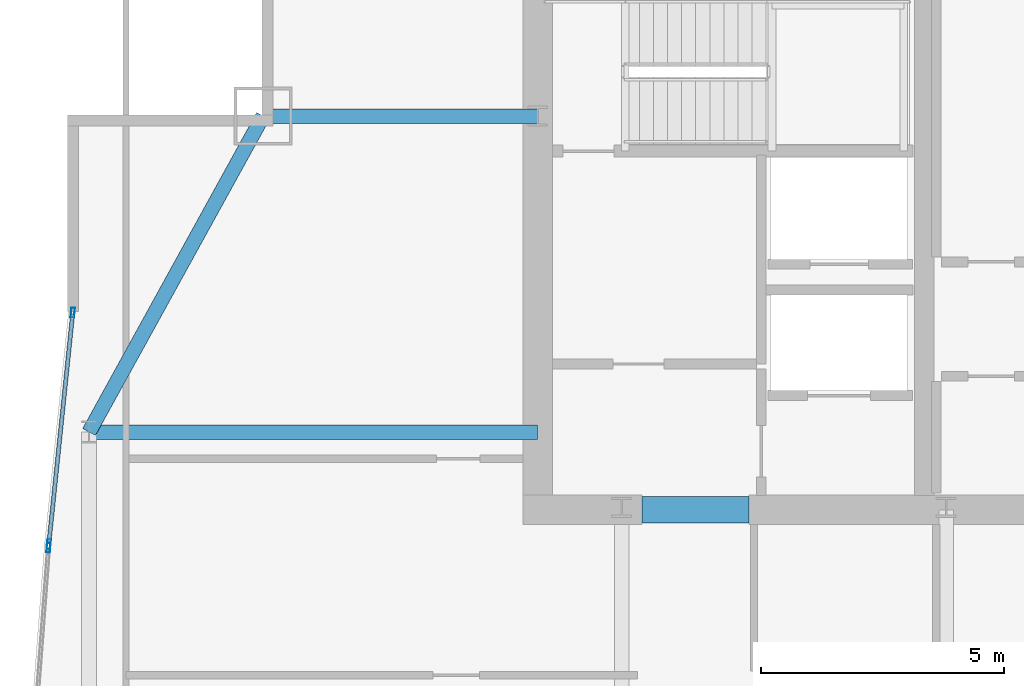
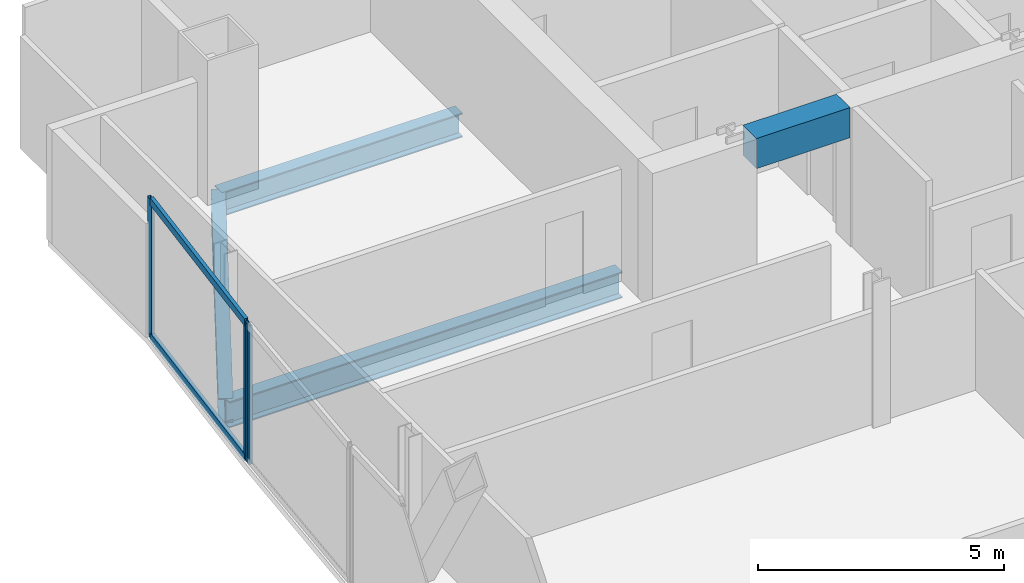
# One storey, part 22 of 32: 5 members, 4 beams, 2 elements without a shape of their own.
"""IFC4 building model written with IfcOpenShell, lengths in metres."""

from ifc_helpers import new_model, si_unit, direction, frame, origin, origin_2d, place, context, subcontext, project, spatial, rectangle, hollow_rectangle, i_section, extrude, material, material_profile, profile_set, type_object, element, aggregate, save


model = new_model("IFC4")

# Units and contexts
model_context = context("Model", 3, precision=1e-05, world=origin(), true_north=direction((0.0, 1.0)))
body_context = subcontext(model_context, "Body", "Model", "MODEL_VIEW")
ifc_project = project(units=[si_unit("LENGTHUNIT", "METRE"), si_unit("AREAUNIT", "SQUARE_METRE"), si_unit("VOLUMEUNIT", "CUBIC_METRE"), si_unit("PLANEANGLEUNIT", "RADIAN"), si_unit("MASSUNIT", "GRAM", prefix="KILO")], contexts=[model_context])

# Site, building, storey
site_placement = place(None, origin())
site = spatial("IfcSite", under=ifc_project, at=site_placement, CompositionType="ELEMENT")
building_placement = place(site_placement, origin())
building = spatial("IfcBuilding", under=site, at=building_placement, Name="Khoronbel Lancet Exchange", CompositionType="ELEMENT")
storey_placement = place(building_placement, frame((0.0, 0.0, 231.800048828125)))
storey = spatial("IfcBuildingStorey", under=building, at=storey_placement, Name="L59", CompositionType="ELEMENT", Elevation=231.800048828125)

# Beams
ifc_material_1 = material(Name="Steel S355", Category="steel")
ifc_material_profile_1 = material_profile(ifc_material_1, i_section(OverallWidth=0.300048828125, OverallDepth=0.64990234375, WebThickness=0.01611328125, FlangeThickness=0.031005859375, at=origin_2d()), Name="HEB 650")
ifc_profile_set_1 = profile_set([ifc_material_profile_1], Name="Steel S355")
beam_type_1 = type_object("IfcBeamType", Name="BM-BG4", PredefinedType="BEAM", material=ifc_profile_set_1)
beam_1_placement = place(storey_placement, frame((7.27001953125, 43.199951171875, -0.485107421875), z_axis=(1.0, 0.0, 0.0), x_axis=(0.0, 1.0, 0.0)))
element("IfcBeam", 1, at=beam_1_placement, inside=storey, type_object=beam_type_1, Name="Level L59 west lens tie girder LG3W", PredefinedType="BEAM", context=body_context, shape_type="SweptSolid", body=[
    extrude(i_section(OverallWidth=0.300048828125, OverallDepth=0.64990234375, WebThickness=0.01611328125, FlangeThickness=0.031005859375, at=origin_2d()), origin(), (0.0, 0.0, 1.0), 9.22998046875),
])
ifc_material_2 = material(Name="Concrete C60/75", Category="concrete")
ifc_material_profile_2 = material_profile(ifc_material_2, rectangle(XDim=0.550048828125, YDim=0.75, at=origin_2d()), Name="RC 550x750")
ifc_profile_set_2 = profile_set([ifc_material_profile_2], Name="Concrete C60/75")
beam_type_2 = type_object("IfcBeamType", Name="BM-BL2", PredefinedType="LINTEL", material=ifc_profile_set_2)
beam_2_placement = place(storey_placement, frame((18.64990234375, 41.60009765625, 3.06494140625), z_axis=(1.0, 0.0, 0.0), x_axis=(0.0, 1.0, 0.0)))
element("IfcBeam", 2, at=beam_2_placement, inside=storey, type_object=beam_type_2, Name="Level L59 rear core coupling lintel L1", PredefinedType="LINTEL", context=body_context, shape_type="SweptSolid", body=[
    extrude(rectangle(XDim=0.550048828125, YDim=0.75, at=origin_2d()), origin(), (0.0, 0.0, 1.0), 2.2001953125),
])
ifc_material_profile_3 = material_profile(ifc_material_1, i_section(OverallWidth=0.300048828125, OverallDepth=0.60009765625, WebThickness=0.015380859375, FlangeThickness=0.030029296875, at=origin_2d()), Name="HEB 600")
ifc_profile_set_3 = profile_set([ifc_material_profile_3], Name="Steel S355")
beam_type_3 = type_object("IfcBeamType", Name="BM-BSP2", PredefinedType="SPANDREL", material=ifc_profile_set_3)
beam_3_placement = place(storey_placement, frame((10.85009765625, 49.699951171875, -0.4599609375), z_axis=(-0.482444051088, -0.875926787791, 0.0), x_axis=(0.875926787791, -0.482444051088, 0.0)))
element("IfcBeam", 3, at=beam_3_placement, inside=storey, type_object=beam_type_3, Name="Level L59 perimeter spandrel beam SP16", PredefinedType="SPANDREL", context=body_context, shape_type="SweptSolid", body=[
    extrude(i_section(OverallWidth=0.300048828125, OverallDepth=0.60009765625, WebThickness=0.015380859375, FlangeThickness=0.030029296875, at=origin_2d()), origin(), (0.0, 0.0, 1.0), 7.420654296875),
])
beam_4_placement = place(storey_placement, frame((10.85009765625, 49.699951171875, -0.4599609375), z_axis=(1.0, 0.0, 0.0), x_axis=(0.0, 1.0, 0.0)))
element("IfcBeam", 4, at=beam_4_placement, inside=storey, type_object=beam_type_3, Name="Level L59 north flank tie spandrel SP22", PredefinedType="SPANDREL", context=body_context, shape_type="SweptSolid", body=[
    extrude(i_section(OverallWidth=0.300048828125, OverallDepth=0.60009765625, WebThickness=0.015380859375, FlangeThickness=0.030029296875, at=origin_2d()), origin(), (0.0, 0.0, 1.0), 5.64990234375),
])

# Curtain wall, member
ifc_material_3 = material(Name="Low-E Solar Control Insulating Glass", Category="glass")
curtain_wall_type = type_object("IfcCurtainWallType", Name="CW-4", PredefinedType="NOTDEFINED", material=ifc_material_3)
curtain_wall_1_placement = place(storey_placement, origin())
curtain_wall_1 = element("IfcCurtainWall", 5, at=curtain_wall_1_placement, inside=storey, type_object=curtain_wall_type, Name="Unitised curtain wall CW-L59-E08", PredefinedType="NOTDEFINED")
ifc_material_4 = material(Name="Bronze-Anodised Aluminium 6063-T6", Category="aluminium")
ifc_material_profile_4 = material_profile(ifc_material_4, hollow_rectangle(XDim=0.074951171875, YDim=0.199951171875, WallThickness=0.0048828125, at=origin_2d()), Name="ALU MULLION 75x200")
ifc_profile_set_4 = profile_set([ifc_material_profile_4], Name="Bronze-Anodised Aluminium 6063-T6")
member_type_1 = type_object("IfcMemberType", Name="MEM-CWM2", PredefinedType="MULLION", material=ifc_profile_set_4)
member_1_placement = place(storey_placement, frame((6.436767578125, 40.8212890625, 0.0), z_axis=(0.0, 0.0, 1.0), x_axis=(-0.997145938632, 0.075498192491, 0.0)))
member_1 = element("IfcMember", 6, at=member_1_placement, type_object=member_type_1, Name="CW4 mullion 2", PredefinedType="MULLION", context=body_context, shape_type="SweptSolid", body=[
    extrude(hollow_rectangle(XDim=0.074951171875, YDim=0.199951171875, WallThickness=0.0048828125, at=origin_2d()), origin(), (0.0, 0.0, 1.0), 3.43994140625),
])
aggregate(curtain_wall_1, [member_1])

# Curtain wall, members
curtain_wall_2_placement = place(storey_placement, origin())
curtain_wall_2 = element("IfcCurtainWall", 7, at=curtain_wall_2_placement, inside=storey, type_object=curtain_wall_type, Name="Unitised curtain wall CW-L59-E09", PredefinedType="NOTDEFINED")
member_2_placement = place(storey_placement, frame((6.443359375, 40.89599609375, 0.0), z_axis=(0.0, 0.0, 1.0), x_axis=(-0.99469070501, 0.102909675768, 0.0)))
member_2 = element("IfcMember", 8, at=member_2_placement, type_object=member_type_1, Name="CW4 mullion 1", PredefinedType="MULLION", context=body_context, shape_type="SweptSolid", body=[
    extrude(hollow_rectangle(XDim=0.074951171875, YDim=0.199951171875, WallThickness=0.0048828125, at=origin_2d()), origin(), (0.0, 0.0, 1.0), 3.43994140625),
])
member_3_placement = place(storey_placement, frame((6.93603515625, 45.658203125, 0.0), z_axis=(0.0, 0.0, 1.0), x_axis=(-0.99469070501, 0.102909675768, 0.0)))
member_3 = element("IfcMember", 9, at=member_3_placement, type_object=member_type_1, Name="CW4 mullion 2", PredefinedType="MULLION", context=body_context, shape_type="SweptSolid", body=[
    extrude(hollow_rectangle(XDim=0.074951171875, YDim=0.199951171875, WallThickness=0.0048828125, at=origin_2d()), origin(), (0.0, 0.0, 1.0), 3.43994140625),
])
ifc_material_profile_5 = material_profile(ifc_material_4, hollow_rectangle(XDim=0.0849609375, YDim=0.179931640625, WallThickness=0.0048828125, at=origin_2d()), Name="ALU TRANSOM 85x180")
ifc_profile_set_5 = profile_set([ifc_material_profile_5], Name="Bronze-Anodised Aluminium 6063-T6")
member_type_2 = type_object("IfcMemberType", Name="MEM-CWT1", PredefinedType="USERDEFINED", material=ifc_profile_set_5)
member_4_placement = place(storey_placement, frame((6.447265625, 40.933349609375, 0.04248046875), z_axis=(0.102939803979, 0.994687587515, 0.0), x_axis=(-0.994687587515, 0.102939803979, 0.0)))
member_4 = element("IfcMember", 10, at=member_4_placement, type_object=member_type_2, Name="CW4 transom 1.1", ObjectType="TRANSOM", PredefinedType="USERDEFINED", context=body_context, shape_type="SweptSolid", body=[
    extrude(hollow_rectangle(XDim=0.0849609375, YDim=0.179931640625, WallThickness=0.0048828125, at=origin_2d()), origin(), (0.0, 0.0, 1.0), 4.712646484375),
])
member_5_placement = place(storey_placement, frame((6.447265625, 40.933349609375, 3.3974609375), z_axis=(0.102939803979, 0.994687587515, 0.0), x_axis=(-0.994687587515, 0.102939803979, 0.0)))
member_5 = element("IfcMember", 11, at=member_5_placement, type_object=member_type_2, Name="CW4 transom 1.2", ObjectType="TRANSOM", PredefinedType="USERDEFINED", context=body_context, shape_type="SweptSolid", body=[
    extrude(hollow_rectangle(XDim=0.0849609375, YDim=0.179931640625, WallThickness=0.0048828125, at=origin_2d()), origin(), (0.0, 0.0, 1.0), 4.712646484375),
])
aggregate(curtain_wall_2, [member_2, member_3, member_4, member_5])

save(model, "model.ifc")
